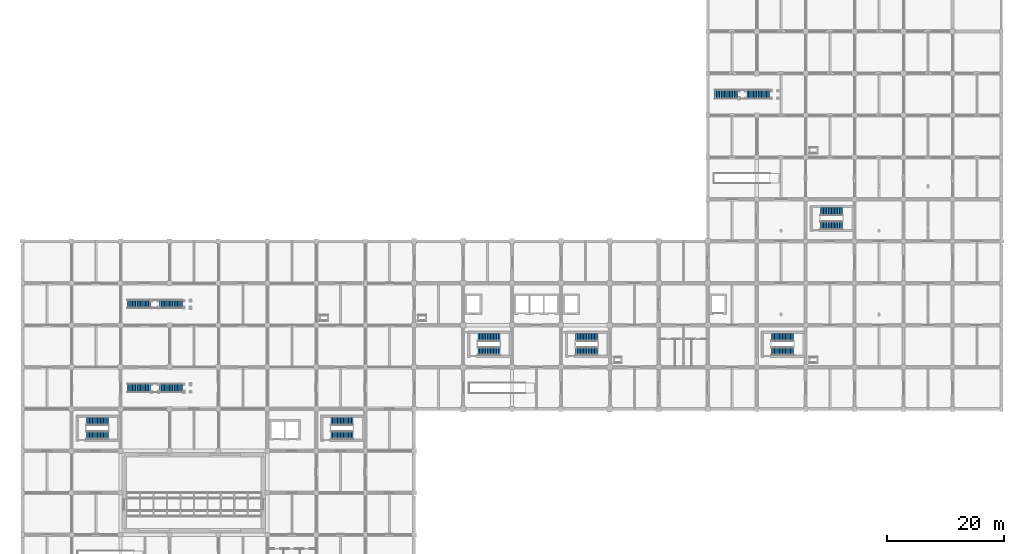
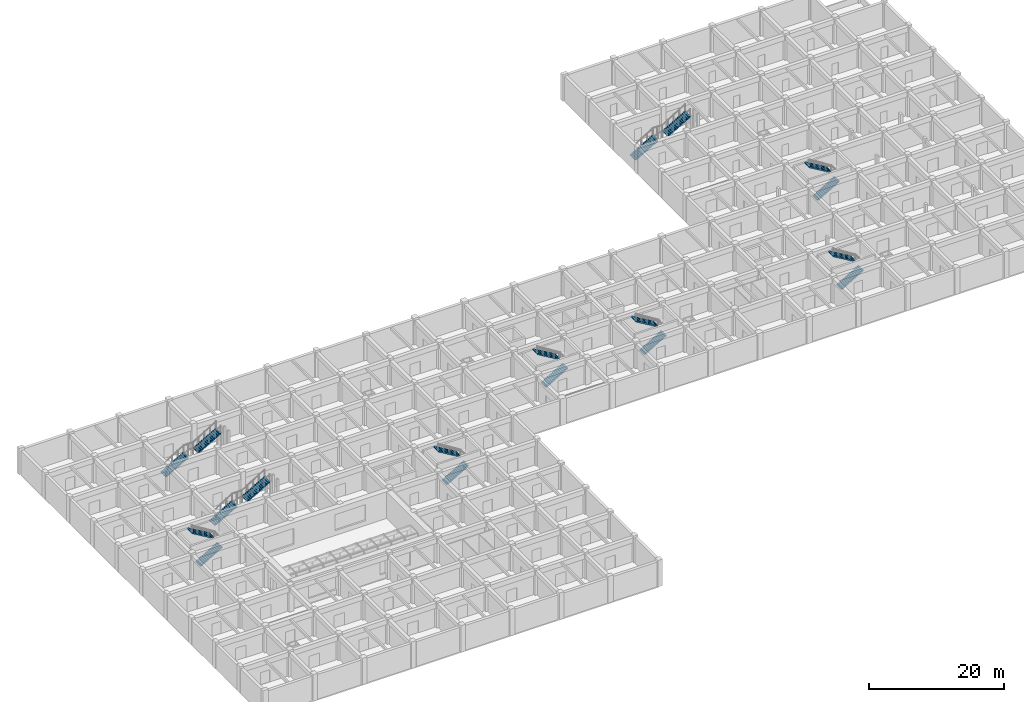
# One storey, part 30 of 32: 18 stair flights, 9 elements without a shape of their own.
"""IFC4 building model written with IfcOpenShell, lengths in metres."""

from ifc_helpers import new_model, si_unit, derived_unit, direction, frame, origin, place, context, subcontext, project, spatial, polyline, outline, extrude, material, type_object, element, aggregate, save


model = new_model("IFC4")

# Units and contexts
model_context = context("Model", 3, precision=1e-05, world=origin(), true_north=direction((0.0, 1.0)))
body_context = subcontext(model_context, "Body", "Model", "MODEL_VIEW")
ifc_project = project(units=[si_unit("LENGTHUNIT", "METRE"), si_unit("AREAUNIT", "SQUARE_METRE"), si_unit("VOLUMEUNIT", "CUBIC_METRE"), si_unit("PLANEANGLEUNIT", "RADIAN"), si_unit("MASSUNIT", "GRAM", prefix="KILO"), derived_unit("THERMALTRANSMITTANCEUNIT", [(si_unit("MASSUNIT", "GRAM", prefix="KILO"), 1), (si_unit("TIMEUNIT", "SECOND"), -3), (si_unit("THERMODYNAMICTEMPERATUREUNIT", "KELVIN"), -1)])], contexts=[model_context])

# Site, building, storey
site_placement = place(None, origin())
site = spatial("IfcSite", under=ifc_project, at=site_placement, CompositionType="ELEMENT")
building_placement = place(site_placement, origin())
building = spatial("IfcBuilding", under=site, at=building_placement, Name="Veldstrom Oceanarium and Marine Research Institute", CompositionType="ELEMENT")
storey_placement = place(building_placement, frame((0.0, 0.0, -4.800048828125)))
storey = spatial("IfcBuildingStorey", under=building, at=storey_placement, Name="B01", CompositionType="ELEMENT", Elevation=-4.800048828125)

# Stair, stair flights
ifc_material_1 = material(Name="Concrete C40/50", Category="concrete")
stair_type_1 = type_object("IfcStairType", Name="ARC-STR-ST-480", PredefinedType="TWO_STRAIGHT_RUN_STAIR", material=ifc_material_1)
stair_1_placement = place(storey_placement, origin())
stair_1 = element("IfcStair", 1, at=stair_1_placement, inside=storey, type_object=stair_type_1, Name="Dog-Leg Escape Stair ST1-B01", PredefinedType="TWO_STRAIGHT_RUN_STAIR")
ifc_material_2 = material(Name="Concrete C40/50", Category="concrete")
stair_flight_type_1 = type_object("IfcStairFlightType", Name="ARC-STF-ST-480", PredefinedType="STRAIGHT", material=ifc_material_2)
stair_flight_1_placement = place(storey_placement, frame((78.139892578125, 53.10009765625, 0.0), z_axis=(0.0, 0.0, 1.0), x_axis=(1.0, 0.0, 0.0)))
stair_flight_1 = element("IfcStairFlight", 2, at=stair_flight_1_placement, type_object=stair_flight_type_1, Name="Stair Flight ST1-B01-1", NumberOfRisers=15, NumberOfTreads=14, PredefinedType="STRAIGHT", RiserHeight=0.16, TreadLength=0.27, context=body_context, shape_type="SweptSolid", body=[
    extrude(outline(polyline([(0.0, 0.0), (0.0, 0.159912109375), (0.27001953125, 0.159912109375), (0.27001953125, 0.320068359375), (0.5400390625, 0.320068359375), (0.5400390625, 0.47998046875), (0.81005859375, 0.47998046875), (0.81005859375, 0.639892578125), (1.080078125, 0.639892578125), (1.080078125, 0.800048828125), (1.35009765625, 0.800048828125), (1.35009765625, 0.9599609375), (1.6201171875, 0.9599609375), (1.6201171875, 1.1201171875), (1.889892578125, 1.1201171875), (1.889892578125, 1.280029296875), (2.159912109375, 1.280029296875), (2.159912109375, 1.43994140625), (2.429931640625, 1.43994140625), (2.429931640625, 1.60009765625), (2.699951171875, 1.60009765625), (2.699951171875, 1.760009765625), (2.969970703125, 1.760009765625), (2.969970703125, 1.919921875), (3.239990234375, 1.919921875), (3.239990234375, 2.080078125), (3.510009765625, 2.080078125), (3.510009765625, 2.239990234375), (3.780029296875, 2.239990234375), (3.780029296875, 2.39990234375), (3.780029296875, 2.03076171875), (0.35302734375, 0.0), (0.0, 0.0)])), frame((0.0, 0.699951171875, 0.0), z_axis=(0.0, -1.0, 0.0), x_axis=(1.0, 0.0, 0.0)), (0.0, 0.0, 1.0), 1.39990234375),
])
stair_flight_2_placement = place(storey_placement, frame((81.919921875, 55.5, 2.400146484375), z_axis=(0.0, 0.0, 1.0), x_axis=(-1.0, 0.0, 0.0)))
stair_flight_2 = element("IfcStairFlight", 3, at=stair_flight_2_placement, type_object=stair_flight_type_1, Name="Stair Flight ST1-B01-2", NumberOfRisers=15, NumberOfTreads=14, PredefinedType="STRAIGHT", RiserHeight=0.16, TreadLength=0.27, context=body_context, shape_type="SweptSolid", body=[
    extrude(outline(polyline([(0.0, 0.0), (0.0, 0.159912109375), (0.27001953125, 0.159912109375), (0.27001953125, 0.320068359375), (0.5400390625, 0.320068359375), (0.5400390625, 0.47998046875), (0.81005859375, 0.47998046875), (0.81005859375, 0.639892578125), (1.080078125, 0.639892578125), (1.080078125, 0.800048828125), (1.35009765625, 0.800048828125), (1.35009765625, 0.9599609375), (1.6201171875, 0.9599609375), (1.6201171875, 1.1201171875), (1.889892578125, 1.1201171875), (1.889892578125, 1.280029296875), (2.159912109375, 1.280029296875), (2.159912109375, 1.43994140625), (2.429931640625, 1.43994140625), (2.429931640625, 1.60009765625), (2.699951171875, 1.60009765625), (2.699951171875, 1.760009765625), (2.969970703125, 1.760009765625), (2.969970703125, 1.919921875), (3.239990234375, 1.919921875), (3.239990234375, 2.080078125), (3.510009765625, 2.080078125), (3.510009765625, 2.239990234375), (3.780029296875, 2.239990234375), (3.780029296875, 2.39990234375), (3.780029296875, 2.03076171875), (0.35302734375, 0.0), (0.0, 0.0)])), frame((0.0, 0.699951171875, 0.0), z_axis=(0.0, -1.0, 0.0), x_axis=(1.0, 0.0, 0.0)), (0.0, 0.0, 1.0), 1.39990234375),
])
aggregate(stair_1, [stair_flight_1, stair_flight_2])

stair_2_placement = place(storey_placement, origin())
stair_2 = element("IfcStair", 4, at=stair_2_placement, inside=storey, type_object=stair_type_1, Name="Dog-Leg Escape Stair ST2-B01", PredefinedType="TWO_STRAIGHT_RUN_STAIR")
stair_flight_3_placement = place(storey_placement, frame((94.93994140625, 53.10009765625, 0.0), z_axis=(0.0, 0.0, 1.0), x_axis=(1.0, 0.0, 0.0)))
stair_flight_3 = element("IfcStairFlight", 5, at=stair_flight_3_placement, type_object=stair_flight_type_1, Name="Stair Flight ST2-B01-1", NumberOfRisers=15, NumberOfTreads=14, PredefinedType="STRAIGHT", RiserHeight=0.16, TreadLength=0.27, context=body_context, shape_type="SweptSolid", body=[
    extrude(outline(polyline([(0.0, 0.0), (0.0, 0.159912109375), (0.27001953125, 0.159912109375), (0.27001953125, 0.320068359375), (0.5400390625, 0.320068359375), (0.5400390625, 0.47998046875), (0.81005859375, 0.47998046875), (0.81005859375, 0.639892578125), (1.080078125, 0.639892578125), (1.080078125, 0.800048828125), (1.35009765625, 0.800048828125), (1.35009765625, 0.9599609375), (1.6201171875, 0.9599609375), (1.6201171875, 1.1201171875), (1.889892578125, 1.1201171875), (1.889892578125, 1.280029296875), (2.159912109375, 1.280029296875), (2.159912109375, 1.43994140625), (2.429931640625, 1.43994140625), (2.429931640625, 1.60009765625), (2.699951171875, 1.60009765625), (2.699951171875, 1.760009765625), (2.969970703125, 1.760009765625), (2.969970703125, 1.919921875), (3.239990234375, 1.919921875), (3.239990234375, 2.080078125), (3.510009765625, 2.080078125), (3.510009765625, 2.239990234375), (3.780029296875, 2.239990234375), (3.780029296875, 2.39990234375), (3.780029296875, 2.03076171875), (0.35302734375, 0.0), (0.0, 0.0)])), frame((0.0, 0.699951171875, 0.0), z_axis=(0.0, -1.0, 0.0), x_axis=(1.0, 0.0, 0.0)), (0.0, 0.0, 1.0), 1.39990234375),
])
stair_flight_4_placement = place(storey_placement, frame((98.719970703125, 55.5, 2.400146484375), z_axis=(0.0, 0.0, 1.0), x_axis=(-1.0, 0.0, 0.0)))
stair_flight_4 = element("IfcStairFlight", 6, at=stair_flight_4_placement, type_object=stair_flight_type_1, Name="Stair Flight ST2-B01-2", NumberOfRisers=15, NumberOfTreads=14, PredefinedType="STRAIGHT", RiserHeight=0.16, TreadLength=0.27, context=body_context, shape_type="SweptSolid", body=[
    extrude(outline(polyline([(0.0, 0.0), (0.0, 0.159912109375), (0.27001953125, 0.159912109375), (0.27001953125, 0.320068359375), (0.5400390625, 0.320068359375), (0.5400390625, 0.47998046875), (0.81005859375, 0.47998046875), (0.81005859375, 0.639892578125), (1.080078125, 0.639892578125), (1.080078125, 0.800048828125), (1.35009765625, 0.800048828125), (1.35009765625, 0.9599609375), (1.6201171875, 0.9599609375), (1.6201171875, 1.1201171875), (1.889892578125, 1.1201171875), (1.889892578125, 1.280029296875), (2.159912109375, 1.280029296875), (2.159912109375, 1.43994140625), (2.429931640625, 1.43994140625), (2.429931640625, 1.60009765625), (2.699951171875, 1.60009765625), (2.699951171875, 1.760009765625), (2.969970703125, 1.760009765625), (2.969970703125, 1.919921875), (3.239990234375, 1.919921875), (3.239990234375, 2.080078125), (3.510009765625, 2.080078125), (3.510009765625, 2.239990234375), (3.780029296875, 2.239990234375), (3.780029296875, 2.39990234375), (3.780029296875, 2.03076171875), (0.35302734375, 0.0), (0.0, 0.0)])), frame((0.0, 0.699951171875, 0.0), z_axis=(0.0, -1.0, 0.0), x_axis=(1.0, 0.0, 0.0)), (0.0, 0.0, 1.0), 1.39990234375),
])
aggregate(stair_2, [stair_flight_3, stair_flight_4])

stair_3_placement = place(storey_placement, origin())
stair_3 = element("IfcStair", 7, at=stair_3_placement, inside=storey, type_object=stair_type_1, Name="Dog-Leg Escape Stair ST3-B01", PredefinedType="TWO_STRAIGHT_RUN_STAIR")
stair_flight_5_placement = place(storey_placement, frame((10.93994140625, 38.699951171875, 0.0), z_axis=(0.0, 0.0, 1.0), x_axis=(1.0, 0.0, 0.0)))
stair_flight_5 = element("IfcStairFlight", 8, at=stair_flight_5_placement, type_object=stair_flight_type_1, Name="Stair Flight ST3-B01-1", NumberOfRisers=15, NumberOfTreads=14, PredefinedType="STRAIGHT", RiserHeight=0.16, TreadLength=0.27, context=body_context, shape_type="SweptSolid", body=[
    extrude(outline(polyline([(0.0, 0.0), (0.0, 0.159912109375), (0.27001953125, 0.159912109375), (0.27001953125, 0.320068359375), (0.5400390625, 0.320068359375), (0.5400390625, 0.47998046875), (0.81005859375, 0.47998046875), (0.81005859375, 0.639892578125), (1.080078125, 0.639892578125), (1.080078125, 0.800048828125), (1.35009765625, 0.800048828125), (1.35009765625, 0.9599609375), (1.6201171875, 0.9599609375), (1.6201171875, 1.1201171875), (1.889892578125, 1.1201171875), (1.889892578125, 1.280029296875), (2.159912109375, 1.280029296875), (2.159912109375, 1.43994140625), (2.429931640625, 1.43994140625), (2.429931640625, 1.60009765625), (2.699951171875, 1.60009765625), (2.699951171875, 1.760009765625), (2.969970703125, 1.760009765625), (2.969970703125, 1.919921875), (3.239990234375, 1.919921875), (3.239990234375, 2.080078125), (3.510009765625, 2.080078125), (3.510009765625, 2.239990234375), (3.780029296875, 2.239990234375), (3.780029296875, 2.39990234375), (3.780029296875, 2.03076171875), (0.35302734375, 0.0), (0.0, 0.0)])), frame((0.0, 0.699951171875, 0.0), z_axis=(0.0, -1.0, 0.0), x_axis=(1.0, 0.0, 0.0)), (0.0, 0.0, 1.0), 1.39990234375),
])
stair_flight_6_placement = place(storey_placement, frame((14.719970703125, 41.10009765625, 2.400146484375), z_axis=(0.0, 0.0, 1.0), x_axis=(-1.0, 0.0, 0.0)))
stair_flight_6 = element("IfcStairFlight", 9, at=stair_flight_6_placement, type_object=stair_flight_type_1, Name="Stair Flight ST3-B01-2", NumberOfRisers=15, NumberOfTreads=14, PredefinedType="STRAIGHT", RiserHeight=0.16, TreadLength=0.27, context=body_context, shape_type="SweptSolid", body=[
    extrude(outline(polyline([(0.0, 0.0), (0.0, 0.159912109375), (0.27001953125, 0.159912109375), (0.27001953125, 0.320068359375), (0.5400390625, 0.320068359375), (0.5400390625, 0.47998046875), (0.81005859375, 0.47998046875), (0.81005859375, 0.639892578125), (1.080078125, 0.639892578125), (1.080078125, 0.800048828125), (1.35009765625, 0.800048828125), (1.35009765625, 0.9599609375), (1.6201171875, 0.9599609375), (1.6201171875, 1.1201171875), (1.889892578125, 1.1201171875), (1.889892578125, 1.280029296875), (2.159912109375, 1.280029296875), (2.159912109375, 1.43994140625), (2.429931640625, 1.43994140625), (2.429931640625, 1.60009765625), (2.699951171875, 1.60009765625), (2.699951171875, 1.760009765625), (2.969970703125, 1.760009765625), (2.969970703125, 1.919921875), (3.239990234375, 1.919921875), (3.239990234375, 2.080078125), (3.510009765625, 2.080078125), (3.510009765625, 2.239990234375), (3.780029296875, 2.239990234375), (3.780029296875, 2.39990234375), (3.780029296875, 2.03076171875), (0.35302734375, 0.0), (0.0, 0.0)])), frame((0.0, 0.699951171875, 0.0), z_axis=(0.0, -1.0, 0.0), x_axis=(1.0, 0.0, 0.0)), (0.0, 0.0, 1.0), 1.39990234375),
])
aggregate(stair_3, [stair_flight_5, stair_flight_6])

stair_4_placement = place(storey_placement, origin())
stair_4 = element("IfcStair", 10, at=stair_4_placement, inside=storey, type_object=stair_type_1, Name="Dog-Leg Escape Stair ST4-B01", PredefinedType="TWO_STRAIGHT_RUN_STAIR")
stair_flight_7_placement = place(storey_placement, frame((128.5400390625, 53.10009765625, 0.0), z_axis=(0.0, 0.0, 1.0), x_axis=(1.0, 0.0, 0.0)))
stair_flight_7 = element("IfcStairFlight", 11, at=stair_flight_7_placement, type_object=stair_flight_type_1, Name="Stair Flight ST4-B01-1", NumberOfRisers=15, NumberOfTreads=14, PredefinedType="STRAIGHT", RiserHeight=0.16, TreadLength=0.27, context=body_context, shape_type="SweptSolid", body=[
    extrude(outline(polyline([(0.0, 0.0), (0.0, 0.159912109375), (0.27001953125, 0.159912109375), (0.27001953125, 0.320068359375), (0.5400390625, 0.320068359375), (0.5400390625, 0.47998046875), (0.81005859375, 0.47998046875), (0.81005859375, 0.639892578125), (1.080078125, 0.639892578125), (1.080078125, 0.800048828125), (1.35009765625, 0.800048828125), (1.35009765625, 0.9599609375), (1.6201171875, 0.9599609375), (1.6201171875, 1.1201171875), (1.889892578125, 1.1201171875), (1.889892578125, 1.280029296875), (2.159912109375, 1.280029296875), (2.159912109375, 1.43994140625), (2.429931640625, 1.43994140625), (2.429931640625, 1.60009765625), (2.699951171875, 1.60009765625), (2.699951171875, 1.760009765625), (2.969970703125, 1.760009765625), (2.969970703125, 1.919921875), (3.239990234375, 1.919921875), (3.239990234375, 2.080078125), (3.510009765625, 2.080078125), (3.510009765625, 2.239990234375), (3.780029296875, 2.239990234375), (3.780029296875, 2.39990234375), (3.780029296875, 2.03076171875), (0.35302734375, 0.0), (0.0, 0.0)])), frame((0.0, 0.699951171875, 0.0), z_axis=(0.0, -1.0, 0.0), x_axis=(1.0, 0.0, 0.0)), (0.0, 0.0, 1.0), 1.39990234375),
])
stair_flight_8_placement = place(storey_placement, frame((132.320068359375, 55.5, 2.400146484375), z_axis=(0.0, 0.0, 1.0), x_axis=(-1.0, 0.0, 0.0)))
stair_flight_8 = element("IfcStairFlight", 12, at=stair_flight_8_placement, type_object=stair_flight_type_1, Name="Stair Flight ST4-B01-2", NumberOfRisers=15, NumberOfTreads=14, PredefinedType="STRAIGHT", RiserHeight=0.16, TreadLength=0.27, context=body_context, shape_type="SweptSolid", body=[
    extrude(outline(polyline([(0.0, 0.0), (0.0, 0.159912109375), (0.27001953125, 0.159912109375), (0.27001953125, 0.320068359375), (0.5400390625, 0.320068359375), (0.5400390625, 0.47998046875), (0.81005859375, 0.47998046875), (0.81005859375, 0.639892578125), (1.080078125, 0.639892578125), (1.080078125, 0.800048828125), (1.35009765625, 0.800048828125), (1.35009765625, 0.9599609375), (1.6201171875, 0.9599609375), (1.6201171875, 1.1201171875), (1.889892578125, 1.1201171875), (1.889892578125, 1.280029296875), (2.159912109375, 1.280029296875), (2.159912109375, 1.43994140625), (2.429931640625, 1.43994140625), (2.429931640625, 1.60009765625), (2.699951171875, 1.60009765625), (2.699951171875, 1.760009765625), (2.969970703125, 1.760009765625), (2.969970703125, 1.919921875), (3.239990234375, 1.919921875), (3.239990234375, 2.080078125), (3.510009765625, 2.080078125), (3.510009765625, 2.239990234375), (3.780029296875, 2.239990234375), (3.780029296875, 2.39990234375), (3.780029296875, 2.03076171875), (0.35302734375, 0.0), (0.0, 0.0)])), frame((0.0, 0.699951171875, 0.0), z_axis=(0.0, -1.0, 0.0), x_axis=(1.0, 0.0, 0.0)), (0.0, 0.0, 1.0), 1.39990234375),
])
aggregate(stair_4, [stair_flight_7, stair_flight_8])

stair_5_placement = place(storey_placement, origin())
stair_5 = element("IfcStair", 13, at=stair_5_placement, inside=storey, type_object=stair_type_1, Name="Dog-Leg Escape Stair ST6-B01", PredefinedType="TWO_STRAIGHT_RUN_STAIR")
stair_flight_9_placement = place(storey_placement, frame((52.93994140625, 38.699951171875, 0.0), z_axis=(0.0, 0.0, 1.0), x_axis=(1.0, 0.0, 0.0)))
stair_flight_9 = element("IfcStairFlight", 14, at=stair_flight_9_placement, type_object=stair_flight_type_1, Name="Stair Flight ST6-B01-1", NumberOfRisers=15, NumberOfTreads=14, PredefinedType="STRAIGHT", RiserHeight=0.16, TreadLength=0.27, context=body_context, shape_type="SweptSolid", body=[
    extrude(outline(polyline([(0.0, 0.0), (0.0, 0.159912109375), (0.27001953125, 0.159912109375), (0.27001953125, 0.320068359375), (0.5400390625, 0.320068359375), (0.5400390625, 0.47998046875), (0.81005859375, 0.47998046875), (0.81005859375, 0.639892578125), (1.080078125, 0.639892578125), (1.080078125, 0.800048828125), (1.35009765625, 0.800048828125), (1.35009765625, 0.9599609375), (1.6201171875, 0.9599609375), (1.6201171875, 1.1201171875), (1.889892578125, 1.1201171875), (1.889892578125, 1.280029296875), (2.159912109375, 1.280029296875), (2.159912109375, 1.43994140625), (2.429931640625, 1.43994140625), (2.429931640625, 1.60009765625), (2.699951171875, 1.60009765625), (2.699951171875, 1.760009765625), (2.969970703125, 1.760009765625), (2.969970703125, 1.919921875), (3.239990234375, 1.919921875), (3.239990234375, 2.080078125), (3.510009765625, 2.080078125), (3.510009765625, 2.239990234375), (3.780029296875, 2.239990234375), (3.780029296875, 2.39990234375), (3.780029296875, 2.03076171875), (0.35302734375, 0.0), (0.0, 0.0)])), frame((0.0, 0.699951171875, 0.0), z_axis=(0.0, -1.0, 0.0), x_axis=(1.0, 0.0, 0.0)), (0.0, 0.0, 1.0), 1.39990234375),
])
stair_flight_10_placement = place(storey_placement, frame((56.719970703125, 41.10009765625, 2.400146484375), z_axis=(0.0, 0.0, 1.0), x_axis=(-1.0, 0.0, 0.0)))
stair_flight_10 = element("IfcStairFlight", 15, at=stair_flight_10_placement, type_object=stair_flight_type_1, Name="Stair Flight ST6-B01-2", NumberOfRisers=15, NumberOfTreads=14, PredefinedType="STRAIGHT", RiserHeight=0.16, TreadLength=0.27, context=body_context, shape_type="SweptSolid", body=[
    extrude(outline(polyline([(0.0, 0.0), (0.0, 0.159912109375), (0.27001953125, 0.159912109375), (0.27001953125, 0.320068359375), (0.5400390625, 0.320068359375), (0.5400390625, 0.47998046875), (0.81005859375, 0.47998046875), (0.81005859375, 0.639892578125), (1.080078125, 0.639892578125), (1.080078125, 0.800048828125), (1.35009765625, 0.800048828125), (1.35009765625, 0.9599609375), (1.6201171875, 0.9599609375), (1.6201171875, 1.1201171875), (1.889892578125, 1.1201171875), (1.889892578125, 1.280029296875), (2.159912109375, 1.280029296875), (2.159912109375, 1.43994140625), (2.429931640625, 1.43994140625), (2.429931640625, 1.60009765625), (2.699951171875, 1.60009765625), (2.699951171875, 1.760009765625), (2.969970703125, 1.760009765625), (2.969970703125, 1.919921875), (3.239990234375, 1.919921875), (3.239990234375, 2.080078125), (3.510009765625, 2.080078125), (3.510009765625, 2.239990234375), (3.780029296875, 2.239990234375), (3.780029296875, 2.39990234375), (3.780029296875, 2.03076171875), (0.35302734375, 0.0), (0.0, 0.0)])), frame((0.0, 0.699951171875, 0.0), z_axis=(0.0, -1.0, 0.0), x_axis=(1.0, 0.0, 0.0)), (0.0, 0.0, 1.0), 1.39990234375),
])
aggregate(stair_5, [stair_flight_9, stair_flight_10])

stair_6_placement = place(storey_placement, origin())
stair_6 = element("IfcStair", 16, at=stair_6_placement, inside=storey, type_object=stair_type_1, Name="Dog-Leg Escape Stair ST7-B01", PredefinedType="TWO_STRAIGHT_RUN_STAIR")
stair_flight_11_placement = place(storey_placement, frame((136.93994140625, 74.699951171875, 0.0), z_axis=(0.0, 0.0, 1.0), x_axis=(1.0, 0.0, 0.0)))
stair_flight_11 = element("IfcStairFlight", 17, at=stair_flight_11_placement, type_object=stair_flight_type_1, Name="Stair Flight ST7-B01-1", NumberOfRisers=15, NumberOfTreads=14, PredefinedType="STRAIGHT", RiserHeight=0.16, TreadLength=0.27, context=body_context, shape_type="SweptSolid", body=[
    extrude(outline(polyline([(0.0, 0.0), (0.0, 0.159912109375), (0.27001953125, 0.159912109375), (0.27001953125, 0.320068359375), (0.5400390625, 0.320068359375), (0.5400390625, 0.47998046875), (0.81005859375, 0.47998046875), (0.81005859375, 0.639892578125), (1.080078125, 0.639892578125), (1.080078125, 0.800048828125), (1.35009765625, 0.800048828125), (1.35009765625, 0.9599609375), (1.6201171875, 0.9599609375), (1.6201171875, 1.1201171875), (1.889892578125, 1.1201171875), (1.889892578125, 1.280029296875), (2.159912109375, 1.280029296875), (2.159912109375, 1.43994140625), (2.429931640625, 1.43994140625), (2.429931640625, 1.60009765625), (2.699951171875, 1.60009765625), (2.699951171875, 1.760009765625), (2.969970703125, 1.760009765625), (2.969970703125, 1.919921875), (3.239990234375, 1.919921875), (3.239990234375, 2.080078125), (3.510009765625, 2.080078125), (3.510009765625, 2.239990234375), (3.780029296875, 2.239990234375), (3.780029296875, 2.39990234375), (3.780029296875, 2.03076171875), (0.35302734375, 0.0), (0.0, 0.0)])), frame((0.0, 0.699951171875, 0.0), z_axis=(0.0, -1.0, 0.0), x_axis=(1.0, 0.0, 0.0)), (0.0, 0.0, 1.0), 1.39990234375),
])
stair_flight_12_placement = place(storey_placement, frame((140.719970703125, 77.10009765625, 2.400146484375), z_axis=(0.0, 0.0, 1.0), x_axis=(-1.0, 0.0, 0.0)))
stair_flight_12 = element("IfcStairFlight", 18, at=stair_flight_12_placement, type_object=stair_flight_type_1, Name="Stair Flight ST7-B01-2", NumberOfRisers=15, NumberOfTreads=14, PredefinedType="STRAIGHT", RiserHeight=0.16, TreadLength=0.27, context=body_context, shape_type="SweptSolid", body=[
    extrude(outline(polyline([(0.0, 0.0), (0.0, 0.159912109375), (0.27001953125, 0.159912109375), (0.27001953125, 0.320068359375), (0.5400390625, 0.320068359375), (0.5400390625, 0.47998046875), (0.81005859375, 0.47998046875), (0.81005859375, 0.639892578125), (1.080078125, 0.639892578125), (1.080078125, 0.800048828125), (1.35009765625, 0.800048828125), (1.35009765625, 0.9599609375), (1.6201171875, 0.9599609375), (1.6201171875, 1.1201171875), (1.889892578125, 1.1201171875), (1.889892578125, 1.280029296875), (2.159912109375, 1.280029296875), (2.159912109375, 1.43994140625), (2.429931640625, 1.43994140625), (2.429931640625, 1.60009765625), (2.699951171875, 1.60009765625), (2.699951171875, 1.760009765625), (2.969970703125, 1.760009765625), (2.969970703125, 1.919921875), (3.239990234375, 1.919921875), (3.239990234375, 2.080078125), (3.510009765625, 2.080078125), (3.510009765625, 2.239990234375), (3.780029296875, 2.239990234375), (3.780029296875, 2.39990234375), (3.780029296875, 2.03076171875), (0.35302734375, 0.0), (0.0, 0.0)])), frame((0.0, 0.699951171875, 0.0), z_axis=(0.0, -1.0, 0.0), x_axis=(1.0, 0.0, 0.0)), (0.0, 0.0, 1.0), 1.39990234375),
])
aggregate(stair_6, [stair_flight_11, stair_flight_12])

ifc_material_3 = material(Name="Concrete C40/50", Category="concrete")
stair_type_2 = type_object("IfcStairType", Name="ARC-STR-ST-FC1", PredefinedType="STRAIGHT_RUN_STAIR", material=ifc_material_3)
stair_7_placement = place(storey_placement, origin())
stair_7 = element("IfcStair", 19, at=stair_7_placement, inside=storey, type_object=stair_type_2, Name="Gallery Concourse Straight Stair ST5-05", PredefinedType="STRAIGHT_RUN_STAIR")
ifc_material_4 = material(Name="Concrete C40/50", Category="concrete")
stair_flight_type_2 = type_object("IfcStairFlightType", Name="ARC-STF-ST-FC1", PredefinedType="STRAIGHT", material=ifc_material_4)
stair_flight_13_placement = place(storey_placement, frame((18.0, 61.199951171875, 0.0), z_axis=(0.0, 0.0, 1.0), x_axis=(1.0, 0.0, 0.0)))
stair_flight_13 = element("IfcStairFlight", 20, at=stair_flight_13_placement, type_object=stair_flight_type_2, Name="Gallery Straight Stair Flight ST5-05-1", NumberOfRisers=15, NumberOfTreads=14, PredefinedType="STRAIGHT", RiserHeight=0.16, TreadLength=0.28, context=body_context, shape_type="SweptSolid", body=[
    extrude(outline(polyline([(0.0, 0.0), (0.0, 0.159912109375), (0.280029296875, 0.159912109375), (0.280029296875, 0.320068359375), (0.56005859375, 0.320068359375), (0.56005859375, 0.47998046875), (0.840087890625, 0.47998046875), (0.840087890625, 0.639892578125), (1.1201171875, 0.639892578125), (1.1201171875, 0.800048828125), (1.39990234375, 0.800048828125), (1.39990234375, 0.9599609375), (1.679931640625, 0.9599609375), (1.679931640625, 1.1201171875), (1.9599609375, 1.1201171875), (1.9599609375, 1.280029296875), (2.239990234375, 1.280029296875), (2.239990234375, 1.43994140625), (2.52001953125, 1.43994140625), (2.52001953125, 1.60009765625), (2.800048828125, 1.60009765625), (2.800048828125, 1.760009765625), (3.080078125, 1.760009765625), (3.080078125, 1.919921875), (3.360107421875, 1.919921875), (3.360107421875, 2.080078125), (3.639892578125, 2.080078125), (3.639892578125, 2.239990234375), (3.919921875, 2.239990234375), (3.919921875, 2.39990234375), (3.919921875, 2.03271484375), (0.362548828125, 0.0), (0.0, 0.0)])), frame((0.0, 0.72509765625, 0.0), z_axis=(0.0, -1.0, 0.0), x_axis=(1.0, 0.0, 0.0)), (0.0, 0.0, 1.0), 1.449951171875),
])
stair_flight_14_placement = place(storey_placement, frame((23.52001953125, 61.199951171875, 2.400146484375), z_axis=(0.0, 0.0, 1.0), x_axis=(1.0, 0.0, 0.0)))
stair_flight_14 = element("IfcStairFlight", 21, at=stair_flight_14_placement, type_object=stair_flight_type_2, Name="Gallery Straight Stair Flight ST5-05-2", NumberOfRisers=15, NumberOfTreads=14, PredefinedType="STRAIGHT", RiserHeight=0.16, TreadLength=0.28, context=body_context, shape_type="SweptSolid", body=[
    extrude(outline(polyline([(0.0, 0.0), (0.0, 0.159912109375), (0.280029296875, 0.159912109375), (0.280029296875, 0.320068359375), (0.56005859375, 0.320068359375), (0.56005859375, 0.47998046875), (0.840087890625, 0.47998046875), (0.840087890625, 0.639892578125), (1.1201171875, 0.639892578125), (1.1201171875, 0.800048828125), (1.39990234375, 0.800048828125), (1.39990234375, 0.9599609375), (1.679931640625, 0.9599609375), (1.679931640625, 1.1201171875), (1.9599609375, 1.1201171875), (1.9599609375, 1.280029296875), (2.239990234375, 1.280029296875), (2.239990234375, 1.43994140625), (2.52001953125, 1.43994140625), (2.52001953125, 1.60009765625), (2.800048828125, 1.60009765625), (2.800048828125, 1.760009765625), (3.080078125, 1.760009765625), (3.080078125, 1.919921875), (3.360107421875, 1.919921875), (3.360107421875, 2.080078125), (3.639892578125, 2.080078125), (3.639892578125, 2.239990234375), (3.919921875, 2.239990234375), (3.919921875, 2.39990234375), (3.919921875, 2.03271484375), (0.362548828125, 0.0), (0.0, 0.0)])), frame((0.0, 0.72509765625, 0.0), z_axis=(0.0, -1.0, 0.0), x_axis=(1.0, 0.0, 0.0)), (0.0, 0.0, 1.0), 1.449951171875),
])
aggregate(stair_7, [stair_flight_13, stair_flight_14])

ifc_material_5 = material(Name="Concrete C40/50", Category="concrete")
stair_type_3 = type_object("IfcStairType", Name="ARC-STR-ST-FC2", PredefinedType="STRAIGHT_RUN_STAIR", material=ifc_material_5)
stair_8_placement = place(storey_placement, origin())
stair_8 = element("IfcStair", 22, at=stair_8_placement, inside=storey, type_object=stair_type_3, Name="Gallery Concourse Straight Stair ST5-04", PredefinedType="STRAIGHT_RUN_STAIR")
ifc_material_6 = material(Name="Concrete C40/50", Category="concrete")
stair_flight_type_3 = type_object("IfcStairFlightType", Name="ARC-STF-ST-FC2", PredefinedType="STRAIGHT", material=ifc_material_6)
stair_flight_15_placement = place(storey_placement, frame((18.0, 46.800048828125, 0.0), z_axis=(0.0, 0.0, 1.0), x_axis=(1.0, 0.0, 0.0)))
stair_flight_15 = element("IfcStairFlight", 23, at=stair_flight_15_placement, type_object=stair_flight_type_3, Name="Gallery Straight Stair Flight ST5-04-1", NumberOfRisers=15, NumberOfTreads=14, PredefinedType="STRAIGHT", RiserHeight=0.16, TreadLength=0.28, context=body_context, shape_type="SweptSolid", body=[
    extrude(outline(polyline([(0.0, 0.0), (0.0, 0.159912109375), (0.280029296875, 0.159912109375), (0.280029296875, 0.320068359375), (0.56005859375, 0.320068359375), (0.56005859375, 0.47998046875), (0.840087890625, 0.47998046875), (0.840087890625, 0.639892578125), (1.1201171875, 0.639892578125), (1.1201171875, 0.800048828125), (1.39990234375, 0.800048828125), (1.39990234375, 0.9599609375), (1.679931640625, 0.9599609375), (1.679931640625, 1.1201171875), (1.9599609375, 1.1201171875), (1.9599609375, 1.280029296875), (2.239990234375, 1.280029296875), (2.239990234375, 1.43994140625), (2.52001953125, 1.43994140625), (2.52001953125, 1.60009765625), (2.800048828125, 1.60009765625), (2.800048828125, 1.760009765625), (3.080078125, 1.760009765625), (3.080078125, 1.919921875), (3.360107421875, 1.919921875), (3.360107421875, 2.080078125), (3.639892578125, 2.080078125), (3.639892578125, 2.239990234375), (3.919921875, 2.239990234375), (3.919921875, 2.39990234375), (3.919921875, 2.03271484375), (0.362548828125, 0.0), (0.0, 0.0)])), frame((0.0, 0.77490234375, 0.0), z_axis=(0.0, -1.0, 0.0), x_axis=(1.0, 0.0, 0.0)), (0.0, 0.0, 1.0), 1.550048828125),
])
stair_flight_16_placement = place(storey_placement, frame((23.52001953125, 46.800048828125, 2.400146484375), z_axis=(0.0, 0.0, 1.0), x_axis=(1.0, 0.0, 0.0)))
stair_flight_16 = element("IfcStairFlight", 24, at=stair_flight_16_placement, type_object=stair_flight_type_3, Name="Gallery Straight Stair Flight ST5-04-2", NumberOfRisers=15, NumberOfTreads=14, PredefinedType="STRAIGHT", RiserHeight=0.16, TreadLength=0.28, context=body_context, shape_type="SweptSolid", body=[
    extrude(outline(polyline([(0.0, 0.0), (0.0, 0.159912109375), (0.280029296875, 0.159912109375), (0.280029296875, 0.320068359375), (0.56005859375, 0.320068359375), (0.56005859375, 0.47998046875), (0.840087890625, 0.47998046875), (0.840087890625, 0.639892578125), (1.1201171875, 0.639892578125), (1.1201171875, 0.800048828125), (1.39990234375, 0.800048828125), (1.39990234375, 0.9599609375), (1.679931640625, 0.9599609375), (1.679931640625, 1.1201171875), (1.9599609375, 1.1201171875), (1.9599609375, 1.280029296875), (2.239990234375, 1.280029296875), (2.239990234375, 1.43994140625), (2.52001953125, 1.43994140625), (2.52001953125, 1.60009765625), (2.800048828125, 1.60009765625), (2.800048828125, 1.760009765625), (3.080078125, 1.760009765625), (3.080078125, 1.919921875), (3.360107421875, 1.919921875), (3.360107421875, 2.080078125), (3.639892578125, 2.080078125), (3.639892578125, 2.239990234375), (3.919921875, 2.239990234375), (3.919921875, 2.39990234375), (3.919921875, 2.03271484375), (0.362548828125, 0.0), (0.0, 0.0)])), frame((0.0, 0.77490234375, 0.0), z_axis=(0.0, -1.0, 0.0), x_axis=(1.0, 0.0, 0.0)), (0.0, 0.0, 1.0), 1.550048828125),
])
aggregate(stair_8, [stair_flight_15, stair_flight_16])

stair_9_placement = place(storey_placement, origin())
stair_9 = element("IfcStair", 25, at=stair_9_placement, inside=storey, type_object=stair_type_3, Name="Gallery Concourse Straight Stair ST5-06", PredefinedType="STRAIGHT_RUN_STAIR")
stair_flight_17_placement = place(storey_placement, frame((118.800048828125, 97.199951171875, 0.0), z_axis=(0.0, 0.0, 1.0), x_axis=(1.0, 0.0, 0.0)))
stair_flight_17 = element("IfcStairFlight", 26, at=stair_flight_17_placement, type_object=stair_flight_type_3, Name="Gallery Straight Stair Flight ST5-06-1", NumberOfRisers=15, NumberOfTreads=14, PredefinedType="STRAIGHT", RiserHeight=0.16, TreadLength=0.28, context=body_context, shape_type="SweptSolid", body=[
    extrude(outline(polyline([(0.0, 0.0), (0.0, 0.159912109375), (0.280029296875, 0.159912109375), (0.280029296875, 0.320068359375), (0.56005859375, 0.320068359375), (0.56005859375, 0.47998046875), (0.840087890625, 0.47998046875), (0.840087890625, 0.639892578125), (1.1201171875, 0.639892578125), (1.1201171875, 0.800048828125), (1.39990234375, 0.800048828125), (1.39990234375, 0.9599609375), (1.679931640625, 0.9599609375), (1.679931640625, 1.1201171875), (1.9599609375, 1.1201171875), (1.9599609375, 1.280029296875), (2.239990234375, 1.280029296875), (2.239990234375, 1.43994140625), (2.52001953125, 1.43994140625), (2.52001953125, 1.60009765625), (2.800048828125, 1.60009765625), (2.800048828125, 1.760009765625), (3.080078125, 1.760009765625), (3.080078125, 1.919921875), (3.360107421875, 1.919921875), (3.360107421875, 2.080078125), (3.639892578125, 2.080078125), (3.639892578125, 2.239990234375), (3.919921875, 2.239990234375), (3.919921875, 2.39990234375), (3.919921875, 2.03271484375), (0.362548828125, 0.0), (0.0, 0.0)])), frame((0.0, 0.77490234375, 0.0), z_axis=(0.0, -1.0, 0.0), x_axis=(1.0, 0.0, 0.0)), (0.0, 0.0, 1.0), 1.550048828125),
])
stair_flight_18_placement = place(storey_placement, frame((124.320068359375, 97.199951171875, 2.400146484375), z_axis=(0.0, 0.0, 1.0), x_axis=(1.0, 0.0, 0.0)))
stair_flight_18 = element("IfcStairFlight", 27, at=stair_flight_18_placement, type_object=stair_flight_type_3, Name="Gallery Straight Stair Flight ST5-06-2", NumberOfRisers=15, NumberOfTreads=14, PredefinedType="STRAIGHT", RiserHeight=0.16, TreadLength=0.28, context=body_context, shape_type="SweptSolid", body=[
    extrude(outline(polyline([(0.0, 0.0), (0.0, 0.159912109375), (0.280029296875, 0.159912109375), (0.280029296875, 0.320068359375), (0.56005859375, 0.320068359375), (0.56005859375, 0.47998046875), (0.840087890625, 0.47998046875), (0.840087890625, 0.639892578125), (1.1201171875, 0.639892578125), (1.1201171875, 0.800048828125), (1.39990234375, 0.800048828125), (1.39990234375, 0.9599609375), (1.679931640625, 0.9599609375), (1.679931640625, 1.1201171875), (1.9599609375, 1.1201171875), (1.9599609375, 1.280029296875), (2.239990234375, 1.280029296875), (2.239990234375, 1.43994140625), (2.52001953125, 1.43994140625), (2.52001953125, 1.60009765625), (2.800048828125, 1.60009765625), (2.800048828125, 1.760009765625), (3.080078125, 1.760009765625), (3.080078125, 1.919921875), (3.360107421875, 1.919921875), (3.360107421875, 2.080078125), (3.639892578125, 2.080078125), (3.639892578125, 2.239990234375), (3.919921875, 2.239990234375), (3.919921875, 2.39990234375), (3.919921875, 2.03271484375), (0.362548828125, 0.0), (0.0, 0.0)])), frame((0.0, 0.77490234375, 0.0), z_axis=(0.0, -1.0, 0.0), x_axis=(1.0, 0.0, 0.0)), (0.0, 0.0, 1.0), 1.550048828125),
])
aggregate(stair_9, [stair_flight_17, stair_flight_18])

save(model, "model.ifc")
